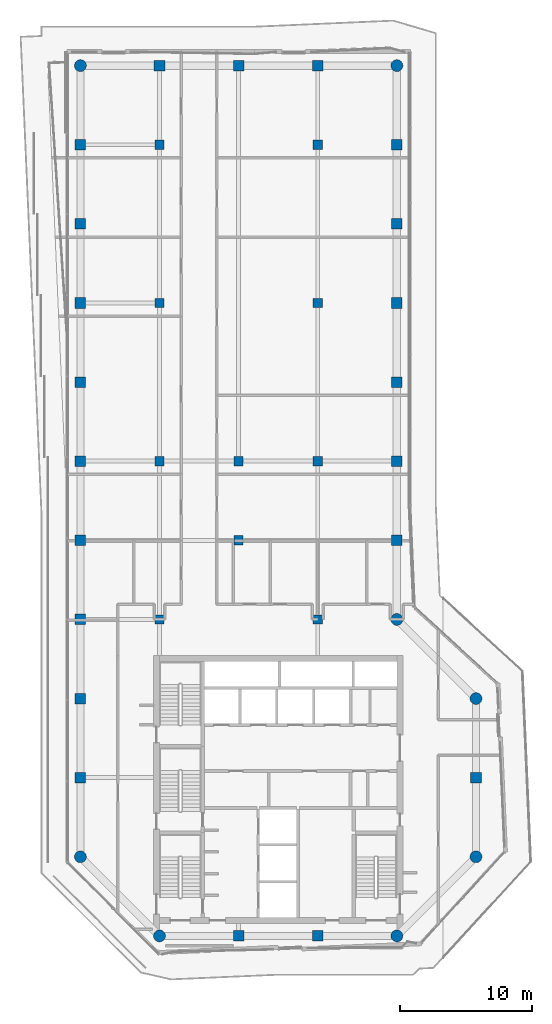
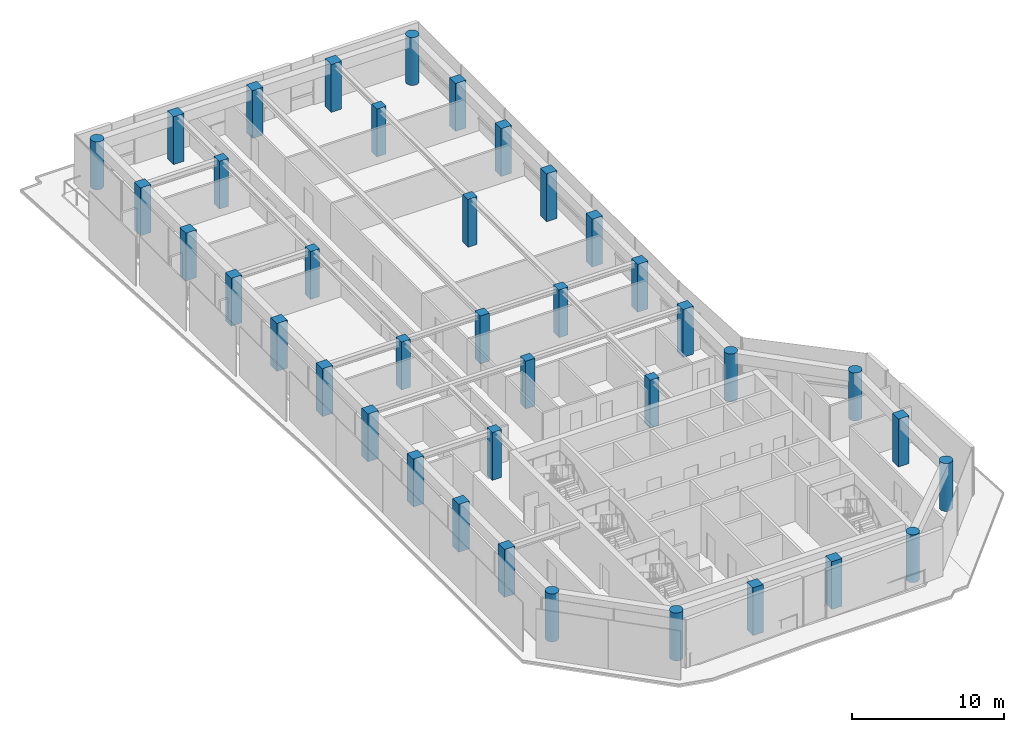
# One storey, part 1 of 21: 39 columns.
"""IFC4 building model written with IfcOpenShell, lengths in metres."""

from ifc_helpers import new_model, si_unit, direction, frame, origin, origin_2d, place, context, subcontext, project, spatial, rectangle, circle, extrude, material, material_profile, profile_set, type_object, element, save


model = new_model("IFC4")

# Units and contexts
model_context = context("Model", 3, precision=1e-05, world=origin(), true_north=direction((0.0, 1.0)))
body_context = subcontext(model_context, "Body", "Model", "MODEL_VIEW")
ifc_project = project(units=[si_unit("LENGTHUNIT", "METRE"), si_unit("AREAUNIT", "SQUARE_METRE"), si_unit("VOLUMEUNIT", "CUBIC_METRE"), si_unit("PLANEANGLEUNIT", "RADIAN"), si_unit("MASSUNIT", "GRAM", prefix="KILO")], contexts=[model_context])

# Site, building, storey
site_placement = place(None, origin())
site = spatial("IfcSite", under=ifc_project, at=site_placement, CompositionType="ELEMENT")
building_placement = place(site_placement, origin())
building = spatial("IfcBuilding", under=site, at=building_placement, Name="Welwitschia Terrace Campus", CompositionType="ELEMENT")
storey_placement = place(building_placement, frame((0.0, 0.0, 218.0)))
storey = spatial("IfcBuildingStorey", under=building, at=storey_placement, Name="L48", CompositionType="ELEMENT", Elevation=218.0)

# Columns
ifc_material_1 = material(Name="Concrete C50/60", Category="concrete")
ifc_material_profile_1 = material_profile(ifc_material_1, circle(Radius=0.449951171875, at=origin_2d()))
ifc_profile_set_1 = profile_set([ifc_material_profile_1], Name="Concrete C50/60")
column_type_1 = type_object("IfcColumnType", Name="Corner column 900 dia", PredefinedType="COLUMN", material=ifc_profile_set_1)
for number, where, z_axis, x_axis, name in (
    (1, (0.0, 10.0, 0.0), (0.0, 0.0, 1.0), (1.0, 0.0, 0.0), "Column C32"),
    (2, (0.0, 70.0, 0.0), (0.0, 0.0, 1.0), (1.0, 0.0, 0.0), "Column C32"),
    (3, (6.0, 4.0, 0.0), (0.0, 0.0, 1.0), (1.0, 0.0, 0.0), "Column C32"),
    (4, (24.0, 4.0, 0.0), (0.0, 0.0, 1.0), (1.0, 0.0, 0.0), "Column C32"),
    (5, (24.0, 28.0, 0.0), (0.0, 0.0, 1.0), (1.0, 0.0, 0.0), "Column C32"),
    (6, (24.0, 70.0, 0.0), (0.0, 0.0, 1.0), (1.0, 0.0, 0.0), "Column C32"),
    (7, (30.0, 10.0, 0.0), (0.0, 0.0, 1.0), (1.0, 0.0, 0.0), "Column C32"),
    (8, (30.0, 22.0, 0.0), (0.0, 0.0, 1.0), (1.0, 0.0, 0.0), "Column C32"),
):
    element("IfcColumn", number, at=place(storey_placement, frame(where, z_axis=z_axis, x_axis=x_axis)), inside=storey, type_object=column_type_1, Name=name, PredefinedType="COLUMN", context=body_context, shape_type="SweptSolid", body=[
        extrude(circle(Radius=0.449951171875, at=origin_2d()), origin(), (0.0, 0.0, 1.0), 3.85009765625),
    ])
ifc_material_2 = material(Name="Concrete C50/60", Category="concrete")
ifc_material_profile_2 = material_profile(ifc_material_2, rectangle(XDim=0.699951171875, YDim=0.699951171875, at=origin_2d()))
ifc_profile_set_2 = profile_set([ifc_material_profile_2], Name="Concrete C50/60")
column_type_2 = type_object("IfcColumnType", Name="Interior column 700x700", PredefinedType="COLUMN", material=ifc_profile_set_2)
for number, where, z_axis, x_axis, name in (
    (9, (6.0, 28.0, 0.0), (0.0, 0.0, 1.0), (1.0, 0.0, 0.0), "Column C34"),
    (10, (6.0, 40.0, 0.0), (0.0, 0.0, 1.0), (1.0, 0.0, 0.0), "Column C34"),
    (11, (6.0, 52.0, 0.0), (0.0, 0.0, 1.0), (1.0, 0.0, 0.0), "Column C34"),
    (12, (6.0, 64.0, 0.0), (0.0, 0.0, 1.0), (1.0, 0.0, 0.0), "Column C34"),
    (13, (12.0, 34.0, 0.0), (0.0, 0.0, 1.0), (1.0, 0.0, 0.0), "Column C34"),
    (14, (12.0, 40.0, 0.0), (0.0, 0.0, 1.0), (1.0, 0.0, 0.0), "Column C34"),
    (15, (18.0, 28.0, 0.0), (0.0, 0.0, 1.0), (1.0, 0.0, 0.0), "Column C34"),
    (16, (18.0, 40.0, 0.0), (0.0, 0.0, 1.0), (1.0, 0.0, 0.0), "Column C34"),
    (17, (18.0, 52.0, 0.0), (0.0, 0.0, 1.0), (1.0, 0.0, 0.0), "Column C34"),
    (18, (18.0, 64.0, 0.0), (0.0, 0.0, 1.0), (1.0, 0.0, 0.0), "Column C34"),
):
    element("IfcColumn", number, at=place(storey_placement, frame(where, z_axis=z_axis, x_axis=x_axis)), inside=storey, type_object=column_type_2, Name=name, PredefinedType="COLUMN", context=body_context, shape_type="SweptSolid", body=[
        extrude(rectangle(XDim=0.699951171875, YDim=0.699951171875, at=origin_2d()), origin(), (0.0, 0.0, 1.0), 3.85009765625),
    ])
ifc_material_3 = material(Name="Concrete C50/60", Category="concrete")
ifc_material_profile_3 = material_profile(ifc_material_3, rectangle(XDim=0.800048828125, YDim=0.800048828125, at=origin_2d()))
ifc_profile_set_3 = profile_set([ifc_material_profile_3], Name="Concrete C50/60")
column_type_3 = type_object("IfcColumnType", Name="Ring column 800x800", PredefinedType="COLUMN", material=ifc_profile_set_3)
for number, where, z_axis, x_axis, name in (
    (19, (0.0, 16.0, 0.0), (0.0, 0.0, 1.0), (1.0, 0.0, 0.0), "Column C33"),
    (20, (0.0, 22.0, 0.0), (0.0, 0.0, 1.0), (1.0, 0.0, 0.0), "Column C33"),
    (21, (0.0, 28.0, 0.0), (0.0, 0.0, 1.0), (1.0, 0.0, 0.0), "Column C33"),
    (22, (0.0, 34.0, 0.0), (0.0, 0.0, 1.0), (1.0, 0.0, 0.0), "Column C33"),
    (23, (0.0, 40.0, 0.0), (0.0, 0.0, 1.0), (1.0, 0.0, 0.0), "Column C33"),
    (24, (0.0, 46.0, 0.0), (0.0, 0.0, 1.0), (1.0, 0.0, 0.0), "Column C33"),
    (25, (0.0, 52.0, 0.0), (0.0, 0.0, 1.0), (1.0, 0.0, 0.0), "Column C33"),
    (26, (0.0, 58.0, 0.0), (0.0, 0.0, 1.0), (1.0, 0.0, 0.0), "Column C33"),
    (27, (0.0, 64.0, 0.0), (0.0, 0.0, 1.0), (1.0, 0.0, 0.0), "Column C33"),
    (28, (6.0, 70.0, 0.0), (0.0, 0.0, 1.0), (1.0, 0.0, 0.0), "Column C33"),
    (29, (12.0, 4.0, 0.0), (0.0, 0.0, 1.0), (1.0, 0.0, 0.0), "Column C33"),
    (30, (12.0, 70.0, 0.0), (0.0, 0.0, 1.0), (1.0, 0.0, 0.0), "Column C33"),
    (31, (18.0, 4.0, 0.0), (0.0, 0.0, 1.0), (1.0, 0.0, 0.0), "Column C33"),
    (32, (18.0, 70.0, 0.0), (0.0, 0.0, 1.0), (1.0, 0.0, 0.0), "Column C33"),
    (33, (24.0, 34.0, 0.0), (0.0, 0.0, 1.0), (1.0, 0.0, 0.0), "Column C33"),
    (34, (24.0, 40.0, 0.0), (0.0, 0.0, 1.0), (1.0, 0.0, 0.0), "Column C33"),
    (35, (24.0, 46.0, 0.0), (0.0, 0.0, 1.0), (1.0, 0.0, 0.0), "Column C33"),
    (36, (24.0, 52.0, 0.0), (0.0, 0.0, 1.0), (1.0, 0.0, 0.0), "Column C33"),
    (37, (24.0, 58.0, 0.0), (0.0, 0.0, 1.0), (1.0, 0.0, 0.0), "Column C33"),
    (38, (24.0, 64.0, 0.0), (0.0, 0.0, 1.0), (1.0, 0.0, 0.0), "Column C33"),
    (39, (30.0, 16.0, 0.0), (0.0, 0.0, 1.0), (1.0, 0.0, 0.0), "Column C33"),
):
    element("IfcColumn", number, at=place(storey_placement, frame(where, z_axis=z_axis, x_axis=x_axis)), inside=storey, type_object=column_type_3, Name=name, PredefinedType="COLUMN", context=body_context, shape_type="SweptSolid", body=[
        extrude(rectangle(XDim=0.800048828125, YDim=0.800048828125, at=origin_2d()), origin(), (0.0, 0.0, 1.0), 3.85009765625),
    ])

save(model, "model.ifc")
